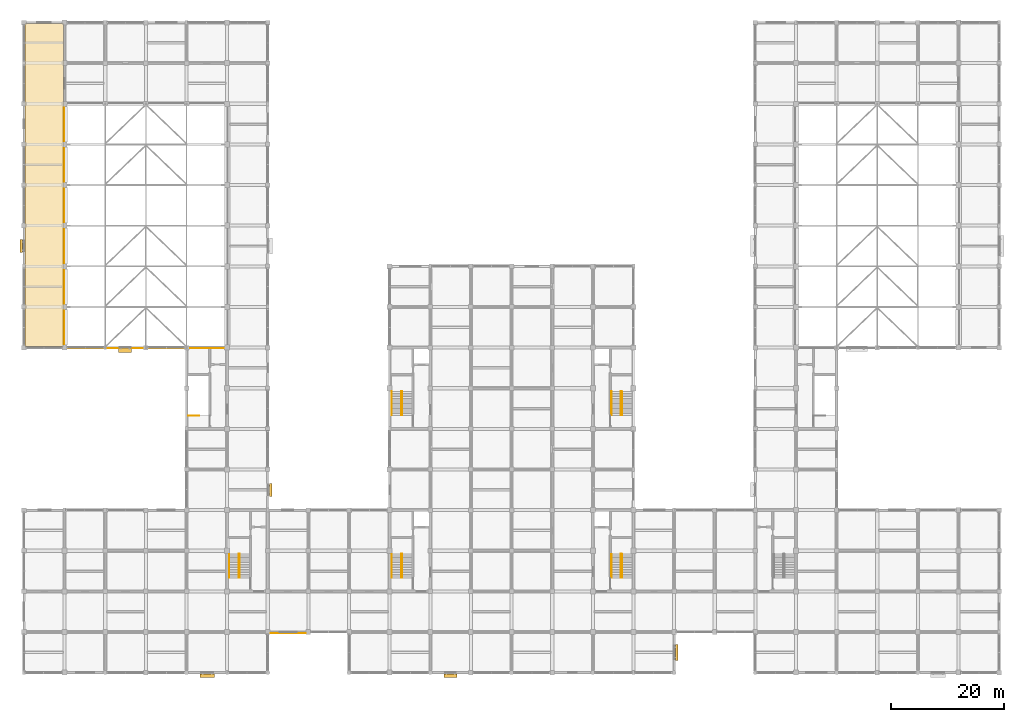
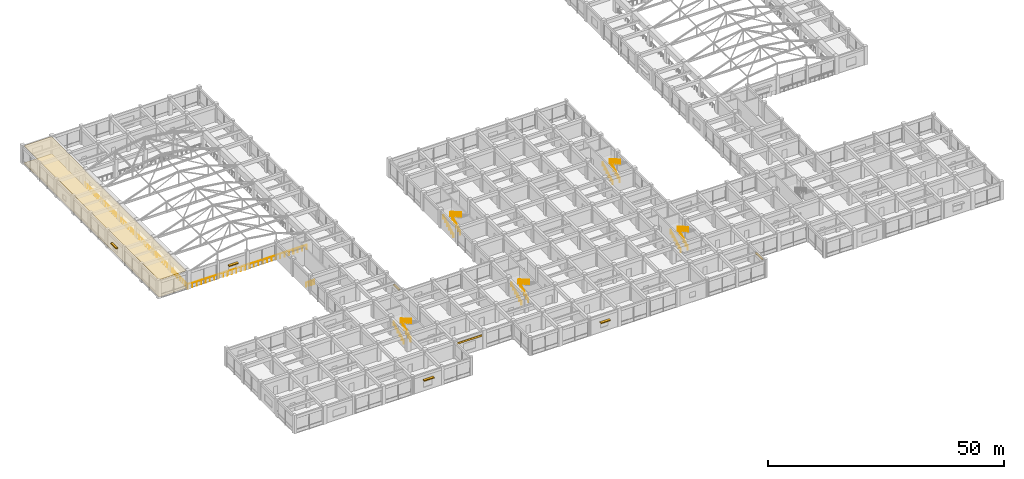
# One storey, part 73 of 75: 13 railings, 6 shading devices, 3 coverings.
"""IFC4 building model written with IfcOpenShell, lengths in metres."""

from ifc_helpers import new_model, si_unit, direction, frame, origin, origin_2d, place, context, subcontext, project, spatial, polyline, rectangle, circle, outline, extrude, material, layer, layer_set, type_object, element, save


model = new_model("IFC4")

# Units and contexts
model_context = context("Model", 3, precision=1e-05, world=origin(), true_north=direction((0.0, 1.0)))
body_context = subcontext(model_context, "Body", "Model", "MODEL_VIEW")
ifc_project = project(units=[si_unit("LENGTHUNIT", "METRE"), si_unit("AREAUNIT", "SQUARE_METRE"), si_unit("VOLUMEUNIT", "CUBIC_METRE"), si_unit("PLANEANGLEUNIT", "RADIAN"), si_unit("MASSUNIT", "GRAM", prefix="KILO")], contexts=[model_context])

# Site, building, storey
site_placement = place(None, origin())
site = spatial("IfcSite", under=ifc_project, at=site_placement, CompositionType="ELEMENT")
building_placement = place(site_placement, origin())
building = spatial("IfcBuilding", under=site, at=building_placement, Name="Cendaluz Park School", CompositionType="ELEMENT")
storey_placement = place(building_placement, frame((0.0, 0.0, 4.800048828125)))
storey = spatial("IfcBuildingStorey", under=building, at=storey_placement, Name="L01", CompositionType="ELEMENT", Elevation=4.800048828125)

# Coverings
ifc_material_1 = material(Name="Polychrome Majolica Tile")
ifc_layer_1 = layer(ifc_material_1, 0.0400390625)
ifc_layer_set_1 = layer_set([ifc_layer_1], Name="Polychrome Majolica Tile")
covering_type_1 = type_object("IfcCoveringType", Name="CV-CL01", PredefinedType="CLADDING", material=ifc_layer_set_1)
covering_1_placement = place(storey_placement, frame((0.0, 0.0, 3.300048828125)))
element("IfcCovering", 1, at=covering_1_placement, inside=storey, type_object=covering_type_1, Name="CV-CL-L01-06-01", PredefinedType="CLADDING", context=body_context, shape_type="SweptSolid", body=[
    extrude(outline(polyline([(43.699951171875, 6.97998046875), (49.89990234375, 6.97998046875), (49.89990234375, 7.02197265625), (43.699951171875, 7.02197265625), (43.699951171875, 6.97998046875)])), origin(), (0.0, 0.0, 1.0), 0.5),
])
ifc_material_2 = material(Name="Mineral Fibre Acoustic Tile")
ifc_layer_2 = layer(ifc_material_2, 0.030029296875)
ifc_layer_set_2 = layer_set([ifc_layer_2], Name="Mineral Fibre Acoustic Tile")
covering_type_2 = type_object("IfcCoveringType", Name="CV-CLG01", PredefinedType="CEILING", material=ifc_layer_set_2)
covering_2_placement = place(storey_placement, frame((0.0, 0.0, 4.449951171875)))
element("IfcCovering", 2, at=covering_2_placement, inside=storey, type_object=covering_type_2, Name="CV-CLG-L01-01", PredefinedType="CEILING", context=body_context, shape_type="SweptSolid", body=[
    extrude(outline(polyline([(0.199951171875, 57.800048828125), (7.0, 57.800048828125), (7.0, 115.0), (0.199951171875, 115.0), (0.199951171875, 57.800048828125)])), origin(), (0.0, 0.0, 1.0), 0.030029296875),
])
ifc_material_3 = material(Name="Polished Terrazzo Tile")
ifc_layer_3 = layer(ifc_material_3, 0.02001953125)
ifc_layer_set_3 = layer_set([ifc_layer_3], Name="Polished Terrazzo Tile")
covering_type_3 = type_object("IfcCoveringType", Name="CV-FLR01", PredefinedType="FLOORING", material=ifc_layer_set_3)
covering_3_placement = place(storey_placement, origin())
element("IfcCovering", 3, at=covering_3_placement, inside=storey, type_object=covering_type_3, Name="CV-FLR-L01-01", PredefinedType="FLOORING", context=body_context, shape_type="SweptSolid", body=[
    extrude(outline(polyline([(0.199951171875, 57.800048828125), (7.0, 57.800048828125), (7.0, 115.0), (0.199951171875, 115.0), (0.199951171875, 57.800048828125)])), origin(), (0.0, 0.0, 1.0), 0.02001953125),
])

# Railings
ifc_material_4 = material(Name="Wrought Iron")
railing_type_1 = type_object("IfcRailingType", Name="GR-ST01", PredefinedType="BALUSTRADE", material=ifc_material_4)
railing_1_placement = place(storey_placement, frame((66.840087890625, 16.800048828125, 0.159912109375)))
element("IfcRailing", 4, at=railing_1_placement, inside=storey, type_object=railing_type_1, Name="GR-ST-005", PredefinedType="BALUSTRADE", context=body_context, shape_type="SweptSolid", body=[
    extrude(circle(Radius=0.02392578125, at=origin_2d()), frame((0.0, 0.0, 1.076171875), z_axis=(0.0, 0.882351521365, 0.470590897432), x_axis=(-1.0, 0.0, 0.0)), (0.0, 0.0, 1.0), 4.760009765625),
    extrude(circle(Radius=0.02392578125, at=origin_2d()), frame((0.0, 4.199951171875, 3.31591796875), z_axis=(1.0, 0.0, 0.0), x_axis=(0.0, 1.0, 0.0)), (0.0, 0.0, 1.0), 0.169921875),
    extrude(circle(Radius=0.02392578125, at=origin_2d()), frame((0.169921875, 4.199951171875, 3.31591796875), z_axis=(0.0, -0.868227612608, 0.496166114024), x_axis=(1.0, 0.0, 0.0)), (0.0, 0.0, 1.0), 4.83740234375),
    extrude(circle(Radius=0.02099609375, at=origin_2d()), origin(), (0.0, 0.0, 1.0), 1.052001953125),
    extrude(circle(Radius=0.02099609375, at=origin_2d()), frame((0.0, 0.840087890625, 0.447998046875)), (0.0, 0.0, 1.0), 1.052001953125),
    extrude(circle(Radius=0.02099609375, at=origin_2d()), frame((0.0, 1.679931640625, 0.89599609375)), (0.0, 0.0, 1.0), 1.052001953125),
    extrude(circle(Radius=0.02099609375, at=origin_2d()), frame((0.0, 2.52001953125, 1.343994140625)), (0.0, 0.0, 1.0), 1.052001953125),
    extrude(circle(Radius=0.02099609375, at=origin_2d()), frame((0.0, 3.35986328125, 1.7919921875)), (0.0, 0.0, 1.0), 1.052001953125),
    extrude(circle(Radius=0.02099609375, at=origin_2d()), frame((0.0, 4.199951171875, 2.239990234375)), (0.0, 0.0, 1.0), 1.052001953125),
    extrude(circle(Radius=0.02099609375, at=origin_2d()), frame((0.169921875, 4.199951171875, 2.239990234375)), (0.0, 0.0, 1.0), 1.052001953125),
    extrude(circle(Radius=0.02099609375, at=origin_2d()), frame((0.169921875, 3.35986328125, 2.719970703125)), (0.0, 0.0, 1.0), 1.052001953125),
    extrude(circle(Radius=0.02099609375, at=origin_2d()), frame((0.169921875, 2.52001953125, 3.199951171875)), (0.0, 0.0, 1.0), 1.052001953125),
    extrude(circle(Radius=0.02099609375, at=origin_2d()), frame((0.169921875, 1.679931640625, 3.68017578125)), (0.0, 0.0, 1.0), 1.052001953125),
    extrude(circle(Radius=0.02099609375, at=origin_2d()), frame((0.169921875, 0.840087890625, 4.16015625)), (0.0, 0.0, 1.0), 1.052001953125),
    extrude(circle(Radius=0.02099609375, at=origin_2d()), frame((0.169921875, 0.0, 4.64013671875)), (0.0, 0.0, 1.0), 1.052001953125),
])
railing_2_placement = place(storey_placement, frame((105.7900390625, 16.800048828125, 0.159912109375)))
element("IfcRailing", 5, at=railing_2_placement, inside=storey, type_object=railing_type_1, Name="GR-ST-040", PredefinedType="BALUSTRADE", context=body_context, shape_type="SweptSolid", body=[
    extrude(circle(Radius=0.02392578125, at=origin_2d()), frame((0.0, 0.0, 1.076171875), z_axis=(0.0, 0.882351521365, 0.470590897432), x_axis=(-1.0, 0.0, 0.0)), (0.0, 0.0, 1.0), 4.760009765625),
    extrude(circle(Radius=0.02392578125, at=origin_2d()), frame((0.0, 4.199951171875, 3.31591796875), z_axis=(1.0, 0.0, 0.0), x_axis=(0.0, 1.0, 0.0)), (0.0, 0.0, 1.0), 0.169921875),
    extrude(circle(Radius=0.02392578125, at=origin_2d()), frame((0.169921875, 4.199951171875, 3.31591796875), z_axis=(0.0, -0.868227612608, 0.496166114024), x_axis=(1.0, 0.0, 0.0)), (0.0, 0.0, 1.0), 4.83740234375),
    extrude(circle(Radius=0.02099609375, at=origin_2d()), origin(), (0.0, 0.0, 1.0), 1.052001953125),
    extrude(circle(Radius=0.02099609375, at=origin_2d()), frame((0.0, 0.840087890625, 0.447998046875)), (0.0, 0.0, 1.0), 1.052001953125),
    extrude(circle(Radius=0.02099609375, at=origin_2d()), frame((0.0, 1.679931640625, 0.89599609375)), (0.0, 0.0, 1.0), 1.052001953125),
    extrude(circle(Radius=0.02099609375, at=origin_2d()), frame((0.0, 2.52001953125, 1.343994140625)), (0.0, 0.0, 1.0), 1.052001953125),
    extrude(circle(Radius=0.02099609375, at=origin_2d()), frame((0.0, 3.35986328125, 1.7919921875)), (0.0, 0.0, 1.0), 1.052001953125),
    extrude(circle(Radius=0.02099609375, at=origin_2d()), frame((0.0, 4.199951171875, 2.239990234375)), (0.0, 0.0, 1.0), 1.052001953125),
    extrude(circle(Radius=0.02099609375, at=origin_2d()), frame((0.169921875, 4.199951171875, 2.239990234375)), (0.0, 0.0, 1.0), 1.052001953125),
    extrude(circle(Radius=0.02099609375, at=origin_2d()), frame((0.169921875, 3.35986328125, 2.719970703125)), (0.0, 0.0, 1.0), 1.052001953125),
    extrude(circle(Radius=0.02099609375, at=origin_2d()), frame((0.169921875, 2.52001953125, 3.199951171875)), (0.0, 0.0, 1.0), 1.052001953125),
    extrude(circle(Radius=0.02099609375, at=origin_2d()), frame((0.169921875, 1.679931640625, 3.68017578125)), (0.0, 0.0, 1.0), 1.052001953125),
    extrude(circle(Radius=0.02099609375, at=origin_2d()), frame((0.169921875, 0.840087890625, 4.16015625)), (0.0, 0.0, 1.0), 1.052001953125),
    extrude(circle(Radius=0.02099609375, at=origin_2d()), frame((0.169921875, 0.0, 4.64013671875)), (0.0, 0.0, 1.0), 1.052001953125),
])
railing_3_placement = place(storey_placement, frame((66.840087890625, 45.60009765625, 0.159912109375)))
element("IfcRailing", 6, at=railing_3_placement, inside=storey, type_object=railing_type_1, Name="GR-ST-075", PredefinedType="BALUSTRADE", context=body_context, shape_type="SweptSolid", body=[
    extrude(circle(Radius=0.02392578125, at=origin_2d()), frame((0.0, 0.0, 1.076171875), z_axis=(0.0, 0.882351521365, 0.470590897432), x_axis=(-1.0, 0.0, 0.0)), (0.0, 0.0, 1.0), 4.760009765625),
    extrude(circle(Radius=0.02392578125, at=origin_2d()), frame((0.0, 4.199951171875, 3.31591796875), z_axis=(1.0, 0.0, 0.0), x_axis=(0.0, 1.0, 0.0)), (0.0, 0.0, 1.0), 0.169921875),
    extrude(circle(Radius=0.02392578125, at=origin_2d()), frame((0.169921875, 4.199951171875, 3.31591796875), z_axis=(0.0, -0.868227612608, 0.496166114024), x_axis=(1.0, 0.0, 0.0)), (0.0, 0.0, 1.0), 4.83740234375),
    extrude(circle(Radius=0.02099609375, at=origin_2d()), origin(), (0.0, 0.0, 1.0), 1.052001953125),
    extrude(circle(Radius=0.02099609375, at=origin_2d()), frame((0.0, 0.840087890625, 0.447998046875)), (0.0, 0.0, 1.0), 1.052001953125),
    extrude(circle(Radius=0.02099609375, at=origin_2d()), frame((0.0, 1.679931640625, 0.89599609375)), (0.0, 0.0, 1.0), 1.052001953125),
    extrude(circle(Radius=0.02099609375, at=origin_2d()), frame((0.0, 2.52001953125, 1.343994140625)), (0.0, 0.0, 1.0), 1.052001953125),
    extrude(circle(Radius=0.02099609375, at=origin_2d()), frame((0.0, 3.35986328125, 1.7919921875)), (0.0, 0.0, 1.0), 1.052001953125),
    extrude(circle(Radius=0.02099609375, at=origin_2d()), frame((0.0, 4.199951171875, 2.239990234375)), (0.0, 0.0, 1.0), 1.052001953125),
    extrude(circle(Radius=0.02099609375, at=origin_2d()), frame((0.169921875, 4.199951171875, 2.239990234375)), (0.0, 0.0, 1.0), 1.052001953125),
    extrude(circle(Radius=0.02099609375, at=origin_2d()), frame((0.169921875, 3.35986328125, 2.719970703125)), (0.0, 0.0, 1.0), 1.052001953125),
    extrude(circle(Radius=0.02099609375, at=origin_2d()), frame((0.169921875, 2.52001953125, 3.199951171875)), (0.0, 0.0, 1.0), 1.052001953125),
    extrude(circle(Radius=0.02099609375, at=origin_2d()), frame((0.169921875, 1.679931640625, 3.68017578125)), (0.0, 0.0, 1.0), 1.052001953125),
    extrude(circle(Radius=0.02099609375, at=origin_2d()), frame((0.169921875, 0.840087890625, 4.16015625)), (0.0, 0.0, 1.0), 1.052001953125),
    extrude(circle(Radius=0.02099609375, at=origin_2d()), frame((0.169921875, 0.0, 4.64013671875)), (0.0, 0.0, 1.0), 1.052001953125),
])
railing_4_placement = place(storey_placement, frame((105.7900390625, 45.60009765625, 0.159912109375)))
element("IfcRailing", 7, at=railing_4_placement, inside=storey, type_object=railing_type_1, Name="GR-ST-110", PredefinedType="BALUSTRADE", context=body_context, shape_type="SweptSolid", body=[
    extrude(circle(Radius=0.02392578125, at=origin_2d()), frame((0.0, 0.0, 1.076171875), z_axis=(0.0, 0.882351521365, 0.470590897432), x_axis=(-1.0, 0.0, 0.0)), (0.0, 0.0, 1.0), 4.760009765625),
    extrude(circle(Radius=0.02392578125, at=origin_2d()), frame((0.0, 4.199951171875, 3.31591796875), z_axis=(1.0, 0.0, 0.0), x_axis=(0.0, 1.0, 0.0)), (0.0, 0.0, 1.0), 0.169921875),
    extrude(circle(Radius=0.02392578125, at=origin_2d()), frame((0.169921875, 4.199951171875, 3.31591796875), z_axis=(0.0, -0.868227612608, 0.496166114024), x_axis=(1.0, 0.0, 0.0)), (0.0, 0.0, 1.0), 4.83740234375),
    extrude(circle(Radius=0.02099609375, at=origin_2d()), origin(), (0.0, 0.0, 1.0), 1.052001953125),
    extrude(circle(Radius=0.02099609375, at=origin_2d()), frame((0.0, 0.840087890625, 0.447998046875)), (0.0, 0.0, 1.0), 1.052001953125),
    extrude(circle(Radius=0.02099609375, at=origin_2d()), frame((0.0, 1.679931640625, 0.89599609375)), (0.0, 0.0, 1.0), 1.052001953125),
    extrude(circle(Radius=0.02099609375, at=origin_2d()), frame((0.0, 2.52001953125, 1.343994140625)), (0.0, 0.0, 1.0), 1.052001953125),
    extrude(circle(Radius=0.02099609375, at=origin_2d()), frame((0.0, 3.35986328125, 1.7919921875)), (0.0, 0.0, 1.0), 1.052001953125),
    extrude(circle(Radius=0.02099609375, at=origin_2d()), frame((0.0, 4.199951171875, 2.239990234375)), (0.0, 0.0, 1.0), 1.052001953125),
    extrude(circle(Radius=0.02099609375, at=origin_2d()), frame((0.169921875, 4.199951171875, 2.239990234375)), (0.0, 0.0, 1.0), 1.052001953125),
    extrude(circle(Radius=0.02099609375, at=origin_2d()), frame((0.169921875, 3.35986328125, 2.719970703125)), (0.0, 0.0, 1.0), 1.052001953125),
    extrude(circle(Radius=0.02099609375, at=origin_2d()), frame((0.169921875, 2.52001953125, 3.199951171875)), (0.0, 0.0, 1.0), 1.052001953125),
    extrude(circle(Radius=0.02099609375, at=origin_2d()), frame((0.169921875, 1.679931640625, 3.68017578125)), (0.0, 0.0, 1.0), 1.052001953125),
    extrude(circle(Radius=0.02099609375, at=origin_2d()), frame((0.169921875, 0.840087890625, 4.16015625)), (0.0, 0.0, 1.0), 1.052001953125),
    extrude(circle(Radius=0.02099609375, at=origin_2d()), frame((0.169921875, 0.0, 4.64013671875)), (0.0, 0.0, 1.0), 1.052001953125),
])
railing_5_placement = place(storey_placement, frame((38.0400390625, 16.800048828125, 0.159912109375)))
element("IfcRailing", 8, at=railing_5_placement, inside=storey, type_object=railing_type_1, Name="GR-ST-145", PredefinedType="BALUSTRADE", context=body_context, shape_type="SweptSolid", body=[
    extrude(circle(Radius=0.02392578125, at=origin_2d()), frame((0.0, 0.0, 1.076171875), z_axis=(0.0, 0.882351521365, 0.470590897432), x_axis=(-1.0, 0.0, 0.0)), (0.0, 0.0, 1.0), 4.760009765625),
    extrude(circle(Radius=0.02392578125, at=origin_2d()), frame((0.0, 4.199951171875, 3.31591796875), z_axis=(1.0, 0.0, 0.0), x_axis=(0.0, 1.0, 0.0)), (0.0, 0.0, 1.0), 0.169921875),
    extrude(circle(Radius=0.02392578125, at=origin_2d()), frame((0.169921875, 4.199951171875, 3.31591796875), z_axis=(0.0, -0.868227612608, 0.496166114024), x_axis=(1.0, 0.0, 0.0)), (0.0, 0.0, 1.0), 4.83740234375),
    extrude(circle(Radius=0.02099609375, at=origin_2d()), origin(), (0.0, 0.0, 1.0), 1.052001953125),
    extrude(circle(Radius=0.02099609375, at=origin_2d()), frame((0.0, 0.840087890625, 0.447998046875)), (0.0, 0.0, 1.0), 1.052001953125),
    extrude(circle(Radius=0.02099609375, at=origin_2d()), frame((0.0, 1.679931640625, 0.89599609375)), (0.0, 0.0, 1.0), 1.052001953125),
    extrude(circle(Radius=0.02099609375, at=origin_2d()), frame((0.0, 2.52001953125, 1.343994140625)), (0.0, 0.0, 1.0), 1.052001953125),
    extrude(circle(Radius=0.02099609375, at=origin_2d()), frame((0.0, 3.35986328125, 1.7919921875)), (0.0, 0.0, 1.0), 1.052001953125),
    extrude(circle(Radius=0.02099609375, at=origin_2d()), frame((0.0, 4.199951171875, 2.239990234375)), (0.0, 0.0, 1.0), 1.052001953125),
    extrude(circle(Radius=0.02099609375, at=origin_2d()), frame((0.169921875, 4.199951171875, 2.239990234375)), (0.0, 0.0, 1.0), 1.052001953125),
    extrude(circle(Radius=0.02099609375, at=origin_2d()), frame((0.169921875, 3.35986328125, 2.719970703125)), (0.0, 0.0, 1.0), 1.052001953125),
    extrude(circle(Radius=0.02099609375, at=origin_2d()), frame((0.169921875, 2.52001953125, 3.199951171875)), (0.0, 0.0, 1.0), 1.052001953125),
    extrude(circle(Radius=0.02099609375, at=origin_2d()), frame((0.169921875, 1.679931640625, 3.68017578125)), (0.0, 0.0, 1.0), 1.052001953125),
    extrude(circle(Radius=0.02099609375, at=origin_2d()), frame((0.169921875, 0.840087890625, 4.16015625)), (0.0, 0.0, 1.0), 1.052001953125),
    extrude(circle(Radius=0.02099609375, at=origin_2d()), frame((0.169921875, 0.0, 4.64013671875)), (0.0, 0.0, 1.0), 1.052001953125),
])
railing_6_placement = place(storey_placement, frame((29.090087890625, 45.52001953125, 0.0)))
element("IfcRailing", 9, at=railing_6_placement, inside=storey, type_object=railing_type_1, Name="GR-TOP-C7-L01", PredefinedType="BALUSTRADE", context=body_context, shape_type="SweptSolid", body=[
    extrude(circle(Radius=0.02392578125, at=origin_2d()), frame((0.0, 0.0, 1.076171875), z_axis=(1.0, 0.0, 0.0), x_axis=(0.0, 1.0, 0.0)), (0.0, 0.0, 1.0), 1.949951171875),
    extrude(circle(Radius=0.02099609375, at=origin_2d()), origin(), (0.0, 0.0, 1.0), 1.052001953125),
    extrude(circle(Radius=0.02099609375, at=origin_2d()), frame((0.64990234375, 0.0, 0.0)), (0.0, 0.0, 1.0), 1.052001953125),
    extrude(circle(Radius=0.02099609375, at=origin_2d()), frame((1.300048828125, 0.0, 0.0)), (0.0, 0.0, 1.0), 1.052001953125),
    extrude(circle(Radius=0.02099609375, at=origin_2d()), frame((1.949951171875, 0.0, 0.0)), (0.0, 0.0, 1.0), 1.052001953125),
])
ifc_material_5 = material(Name="Tempered Low-E Double Glazing", Category="glass")
railing_type_2 = type_object("IfcRailingType", Name="GR-VD01", PredefinedType="GUARDRAIL", material=ifc_material_5)
railing_7_placement = place(storey_placement, frame((7.080078125, 57.47998046875, 0.0)))
element("IfcRailing", 10, at=railing_7_placement, inside=storey, type_object=railing_type_2, Name="GR-SH-VOID-1", PredefinedType="GUARDRAIL", context=body_context, shape_type="SweptSolid", body=[
    extrude(circle(Radius=0.02392578125, at=origin_2d()), frame((0.0, 0.0, 1.1259765625), z_axis=(1.0, 0.0, 0.0), x_axis=(0.0, 1.0, 0.0)), (0.0, 0.0, 1.0), 29.0400390625),
    extrude(circle(Radius=0.02099609375, at=origin_2d()), origin(), (0.0, 0.0, 1.0), 1.101806640625),
    extrude(circle(Radius=0.02099609375, at=origin_2d()), frame((1.075439453125, 0.0, 0.0)), (0.0, 0.0, 1.0), 1.101806640625),
    extrude(circle(Radius=0.02099609375, at=origin_2d()), frame((2.151123046875, 0.0, 0.0)), (0.0, 0.0, 1.0), 1.101806640625),
    extrude(circle(Radius=0.02099609375, at=origin_2d()), frame((3.2265625, 0.0, 0.0)), (0.0, 0.0, 1.0), 1.101806640625),
    extrude(circle(Radius=0.02099609375, at=origin_2d()), frame((4.30224609375, 0.0, 0.0)), (0.0, 0.0, 1.0), 1.101806640625),
    extrude(circle(Radius=0.02099609375, at=origin_2d()), frame((5.377685546875, 0.0, 0.0)), (0.0, 0.0, 1.0), 1.101806640625),
    extrude(circle(Radius=0.02099609375, at=origin_2d()), frame((6.453369140625, 0.0, 0.0)), (0.0, 0.0, 1.0), 1.101806640625),
    extrude(circle(Radius=0.02099609375, at=origin_2d()), frame((7.52880859375, 0.0, 0.0)), (0.0, 0.0, 1.0), 1.101806640625),
    extrude(circle(Radius=0.02099609375, at=origin_2d()), frame((8.6044921875, 0.0, 0.0)), (0.0, 0.0, 1.0), 1.101806640625),
    extrude(circle(Radius=0.02099609375, at=origin_2d()), frame((9.679931640625, 0.0, 0.0)), (0.0, 0.0, 1.0), 1.101806640625),
    extrude(circle(Radius=0.02099609375, at=origin_2d()), frame((10.755615234375, 0.0, 0.0)), (0.0, 0.0, 1.0), 1.101806640625),
    extrude(circle(Radius=0.02099609375, at=origin_2d()), frame((11.8310546875, 0.0, 0.0)), (0.0, 0.0, 1.0), 1.101806640625),
    extrude(circle(Radius=0.02099609375, at=origin_2d()), frame((12.90673828125, 0.0, 0.0)), (0.0, 0.0, 1.0), 1.101806640625),
    extrude(circle(Radius=0.02099609375, at=origin_2d()), frame((13.982177734375, 0.0, 0.0)), (0.0, 0.0, 1.0), 1.101806640625),
    extrude(circle(Radius=0.02099609375, at=origin_2d()), frame((15.057861328125, 0.0, 0.0)), (0.0, 0.0, 1.0), 1.101806640625),
    extrude(circle(Radius=0.02099609375, at=origin_2d()), frame((16.13330078125, 0.0, 0.0)), (0.0, 0.0, 1.0), 1.101806640625),
    extrude(circle(Radius=0.02099609375, at=origin_2d()), frame((17.208984375, 0.0, 0.0)), (0.0, 0.0, 1.0), 1.101806640625),
    extrude(circle(Radius=0.02099609375, at=origin_2d()), frame((18.284423828125, 0.0, 0.0)), (0.0, 0.0, 1.0), 1.101806640625),
    extrude(circle(Radius=0.02099609375, at=origin_2d()), frame((19.360107421875, 0.0, 0.0)), (0.0, 0.0, 1.0), 1.101806640625),
    extrude(circle(Radius=0.02099609375, at=origin_2d()), frame((20.435546875, 0.0, 0.0)), (0.0, 0.0, 1.0), 1.101806640625),
    extrude(circle(Radius=0.02099609375, at=origin_2d()), frame((21.51123046875, 0.0, 0.0)), (0.0, 0.0, 1.0), 1.101806640625),
    extrude(circle(Radius=0.02099609375, at=origin_2d()), frame((22.586669921875, 0.0, 0.0)), (0.0, 0.0, 1.0), 1.101806640625),
    extrude(circle(Radius=0.02099609375, at=origin_2d()), frame((23.662353515625, 0.0, 0.0)), (0.0, 0.0, 1.0), 1.101806640625),
    extrude(circle(Radius=0.02099609375, at=origin_2d()), frame((24.73779296875, 0.0, 0.0)), (0.0, 0.0, 1.0), 1.101806640625),
    extrude(circle(Radius=0.02099609375, at=origin_2d()), frame((25.8134765625, 0.0, 0.0)), (0.0, 0.0, 1.0), 1.101806640625),
    extrude(circle(Radius=0.02099609375, at=origin_2d()), frame((26.888916015625, 0.0, 0.0)), (0.0, 0.0, 1.0), 1.101806640625),
    extrude(circle(Radius=0.02099609375, at=origin_2d()), frame((27.964599609375, 0.0, 0.0)), (0.0, 0.0, 1.0), 1.101806640625),
    extrude(circle(Radius=0.02099609375, at=origin_2d()), frame((29.0400390625, 0.0, 0.0)), (0.0, 0.0, 1.0), 1.101806640625),
])
railing_8_placement = place(storey_placement, frame((7.080078125, 100.919921875, 0.0)))
element("IfcRailing", 11, at=railing_8_placement, inside=storey, type_object=railing_type_2, Name="GR-SH-VOID-4", PredefinedType="GUARDRAIL", context=body_context, shape_type="SweptSolid", body=[
    extrude(circle(Radius=0.02392578125, at=origin_2d()), frame((0.0, 0.0, 1.1259765625), z_axis=(0.0, -1.0, 0.0), x_axis=(1.0, 0.0, 0.0)), (0.0, 0.0, 1.0), 43.43994140625),
    extrude(circle(Radius=0.02099609375, at=origin_2d()), origin(), (0.0, 0.0, 1.0), 1.101806640625),
    extrude(circle(Radius=0.02099609375, at=origin_2d()), frame((0.0, -1.0859375, 0.0)), (0.0, 0.0, 1.0), 1.101806640625),
    extrude(circle(Radius=0.02099609375, at=origin_2d()), frame((0.0, -2.171875, 0.0)), (0.0, 0.0, 1.0), 1.101806640625),
    extrude(circle(Radius=0.02099609375, at=origin_2d()), frame((0.0, -3.258056640625, 0.0)), (0.0, 0.0, 1.0), 1.101806640625),
    extrude(circle(Radius=0.02099609375, at=origin_2d()), frame((0.0, -4.343994140625, 0.0)), (0.0, 0.0, 1.0), 1.101806640625),
    extrude(circle(Radius=0.02099609375, at=origin_2d()), frame((0.0, -5.429931640625, 0.0)), (0.0, 0.0, 1.0), 1.101806640625),
    extrude(circle(Radius=0.02099609375, at=origin_2d()), frame((0.0, -6.51611328125, 0.0)), (0.0, 0.0, 1.0), 1.101806640625),
    extrude(circle(Radius=0.02099609375, at=origin_2d()), frame((0.0, -7.60205078125, 0.0)), (0.0, 0.0, 1.0), 1.101806640625),
    extrude(circle(Radius=0.02099609375, at=origin_2d()), frame((0.0, -8.68798828125, 0.0)), (0.0, 0.0, 1.0), 1.101806640625),
    extrude(circle(Radius=0.02099609375, at=origin_2d()), frame((0.0, -9.77392578125, 0.0)), (0.0, 0.0, 1.0), 1.101806640625),
    extrude(circle(Radius=0.02099609375, at=origin_2d()), frame((0.0, -10.85986328125, 0.0)), (0.0, 0.0, 1.0), 1.101806640625),
    extrude(circle(Radius=0.02099609375, at=origin_2d()), frame((0.0, -11.946044921875, 0.0)), (0.0, 0.0, 1.0), 1.101806640625),
    extrude(circle(Radius=0.02099609375, at=origin_2d()), frame((0.0, -13.031982421875, 0.0)), (0.0, 0.0, 1.0), 1.101806640625),
    extrude(circle(Radius=0.02099609375, at=origin_2d()), frame((0.0, -14.117919921875, 0.0)), (0.0, 0.0, 1.0), 1.101806640625),
    extrude(circle(Radius=0.02099609375, at=origin_2d()), frame((0.0, -15.203857421875, 0.0)), (0.0, 0.0, 1.0), 1.101806640625),
    extrude(circle(Radius=0.02099609375, at=origin_2d()), frame((0.0, -16.2900390625, 0.0)), (0.0, 0.0, 1.0), 1.101806640625),
    extrude(circle(Radius=0.02099609375, at=origin_2d()), frame((0.0, -17.3759765625, 0.0)), (0.0, 0.0, 1.0), 1.101806640625),
    extrude(circle(Radius=0.02099609375, at=origin_2d()), frame((0.0, -18.4619140625, 0.0)), (0.0, 0.0, 1.0), 1.101806640625),
    extrude(circle(Radius=0.02099609375, at=origin_2d()), frame((0.0, -19.5478515625, 0.0)), (0.0, 0.0, 1.0), 1.101806640625),
    extrude(circle(Radius=0.02099609375, at=origin_2d()), frame((0.0, -20.634033203125, 0.0)), (0.0, 0.0, 1.0), 1.101806640625),
    extrude(circle(Radius=0.02099609375, at=origin_2d()), frame((0.0, -21.719970703125, 0.0)), (0.0, 0.0, 1.0), 1.101806640625),
    extrude(circle(Radius=0.02099609375, at=origin_2d()), frame((0.0, -22.805908203125, 0.0)), (0.0, 0.0, 1.0), 1.101806640625),
    extrude(circle(Radius=0.02099609375, at=origin_2d()), frame((0.0, -23.89208984375, 0.0)), (0.0, 0.0, 1.0), 1.101806640625),
    extrude(circle(Radius=0.02099609375, at=origin_2d()), frame((0.0, -24.97802734375, 0.0)), (0.0, 0.0, 1.0), 1.101806640625),
    extrude(circle(Radius=0.02099609375, at=origin_2d()), frame((0.0, -26.06396484375, 0.0)), (0.0, 0.0, 1.0), 1.101806640625),
    extrude(circle(Radius=0.02099609375, at=origin_2d()), frame((0.0, -27.14990234375, 0.0)), (0.0, 0.0, 1.0), 1.101806640625),
    extrude(circle(Radius=0.02099609375, at=origin_2d()), frame((0.0, -28.23583984375, 0.0)), (0.0, 0.0, 1.0), 1.101806640625),
    extrude(circle(Radius=0.02099609375, at=origin_2d()), frame((0.0, -29.322021484375, 0.0)), (0.0, 0.0, 1.0), 1.101806640625),
    extrude(circle(Radius=0.02099609375, at=origin_2d()), frame((0.0, -30.407958984375, 0.0)), (0.0, 0.0, 1.0), 1.101806640625),
    extrude(circle(Radius=0.02099609375, at=origin_2d()), frame((0.0, -31.493896484375, 0.0)), (0.0, 0.0, 1.0), 1.101806640625),
    extrude(circle(Radius=0.02099609375, at=origin_2d()), frame((0.0, -32.580078125, 0.0)), (0.0, 0.0, 1.0), 1.101806640625),
    extrude(circle(Radius=0.02099609375, at=origin_2d()), frame((0.0, -33.666015625, 0.0)), (0.0, 0.0, 1.0), 1.101806640625),
    extrude(circle(Radius=0.02099609375, at=origin_2d()), frame((0.0, -34.751953125, 0.0)), (0.0, 0.0, 1.0), 1.101806640625),
    extrude(circle(Radius=0.02099609375, at=origin_2d()), frame((0.0, -35.837890625, 0.0)), (0.0, 0.0, 1.0), 1.101806640625),
    extrude(circle(Radius=0.02099609375, at=origin_2d()), frame((0.0, -36.923828125, 0.0)), (0.0, 0.0, 1.0), 1.101806640625),
    extrude(circle(Radius=0.02099609375, at=origin_2d()), frame((0.0, -38.010009765625, 0.0)), (0.0, 0.0, 1.0), 1.101806640625),
    extrude(circle(Radius=0.02099609375, at=origin_2d()), frame((0.0, -39.095947265625, 0.0)), (0.0, 0.0, 1.0), 1.101806640625),
    extrude(circle(Radius=0.02099609375, at=origin_2d()), frame((0.0, -40.181884765625, 0.0)), (0.0, 0.0, 1.0), 1.101806640625),
    extrude(circle(Radius=0.02099609375, at=origin_2d()), frame((0.0, -41.26806640625, 0.0)), (0.0, 0.0, 1.0), 1.101806640625),
    extrude(circle(Radius=0.02099609375, at=origin_2d()), frame((0.0, -42.35400390625, 0.0)), (0.0, 0.0, 1.0), 1.101806640625),
    extrude(circle(Radius=0.02099609375, at=origin_2d()), frame((0.0, -43.43994140625, 0.0)), (0.0, 0.0, 1.0), 1.101806640625),
])
ifc_material_6 = material(Name="Architectural Bronze")
railing_type_3 = type_object("IfcRailingType", Name="HR-ST01", PredefinedType="HANDRAIL", material=ifc_material_6)
for number, where, name in (
    (12, (65.14990234375, 16.800048828125, 0.159912109375), "HR-ST-006"),
    (13, (104.10009765625, 16.800048828125, 0.159912109375), "HR-ST-041"),
    (14, (65.14990234375, 45.60009765625, 0.159912109375), "HR-ST-076"),
    (15, (104.10009765625, 45.60009765625, 0.159912109375), "HR-ST-111"),
    (16, (36.35009765625, 16.800048828125, 0.159912109375), "HR-ST-146"),
):
    element("IfcRailing", number, at=place(storey_placement, frame(where)), inside=storey, type_object=railing_type_3, Name=name, PredefinedType="HANDRAIL", context=body_context, shape_type="SweptSolid", body=[
        extrude(circle(Radius=0.02392578125, at=origin_2d()), frame((0.0, 0.0, 0.8759765625), z_axis=(0.0, 0.882351521365, 0.470590897432), x_axis=(-1.0, 0.0, 0.0)), (0.0, 0.0, 1.0), 4.760009765625),
        extrude(circle(Radius=0.02099609375, at=origin_2d()), origin(), (0.0, 0.0, 1.0), 0.851806640625),
        extrude(circle(Radius=0.02099609375, at=origin_2d()), frame((0.0, 0.840087890625, 0.447998046875)), (0.0, 0.0, 1.0), 0.851806640625),
        extrude(circle(Radius=0.02099609375, at=origin_2d()), frame((0.0, 1.679931640625, 0.89599609375)), (0.0, 0.0, 1.0), 0.851806640625),
        extrude(circle(Radius=0.02099609375, at=origin_2d()), frame((0.0, 2.52001953125, 1.343994140625)), (0.0, 0.0, 1.0), 0.851806640625),
        extrude(circle(Radius=0.02099609375, at=origin_2d()), frame((0.0, 3.35986328125, 1.7919921875)), (0.0, 0.0, 1.0), 0.851806640625),
        extrude(circle(Radius=0.02099609375, at=origin_2d()), frame((0.0, 4.199951171875, 2.239990234375)), (0.0, 0.0, 1.0), 0.851806640625),
    ])

# Shading devices
ifc_material_7 = material(Name="Anodised Aluminium 6063-T6", Category="aluminium")
shading_device_type_1 = type_object("IfcShadingDeviceType", Name="SD-01", PredefinedType="JALOUSIE", material=ifc_material_7)
shading_device_1_placement = place(storey_placement, frame((17.925048828125, 57.0400390625, 2.6201171875), z_axis=(0.0, 0.0, 1.0), x_axis=(1.0, 0.0, 0.0)))
element("IfcShadingDevice", 17, at=shading_device_1_placement, inside=storey, type_object=shading_device_type_1, Name="SD-L01-037", PredefinedType="JALOUSIE", context=body_context, shape_type="SweptSolid", body=[
    extrude(rectangle(XDim=2.300048828125, YDim=0.60009765625, at=origin_2d()), origin(), (0.0, 0.0, 1.0), 0.239990234375),
])
shading_device_2_placement = place(storey_placement, frame((32.46240234375, -0.56005859375, 2.8701171875), z_axis=(0.0, 0.0, 1.0), x_axis=(1.0, 0.0, 0.0)))
element("IfcShadingDevice", 18, at=shading_device_2_placement, inside=storey, type_object=shading_device_type_1, Name="SD-L01-038", PredefinedType="JALOUSIE", context=body_context, shape_type="SweptSolid", body=[
    extrude(rectangle(XDim=2.5, YDim=0.60009765625, at=origin_2d()), origin(), (0.0, 0.0, 1.0), 0.239990234375),
])
shading_device_3_placement = place(storey_placement, frame((75.58740234375, -0.56005859375, 2.6201171875), z_axis=(0.0, 0.0, 1.0), x_axis=(1.0, 0.0, 0.0)))
element("IfcShadingDevice", 19, at=shading_device_3_placement, inside=storey, type_object=shading_device_type_1, Name="SD-L01-041", PredefinedType="JALOUSIE", context=body_context, shape_type="SweptSolid", body=[
    extrude(rectangle(XDim=2.300048828125, YDim=0.60009765625, at=origin_2d()), origin(), (0.0, 0.0, 1.0), 0.239990234375),
])
shading_device_type_2 = type_object("IfcShadingDeviceType", Name="SD-02", PredefinedType="SHUTTER", material=ifc_material_6)
for number, where, z_axis, x_axis, name in (
    (20, (-0.485107421875, 75.58740234375, 2.6201171875), (0.0, 0.0, 1.0), (0.0, 1.0, 0.0), "SD-L01-036"),
    (21, (43.68505859375, 32.387451171875, 2.6201171875), (0.0, 0.0, 1.0), (0.0, 1.0, 0.0), "SD-L01-039"),
):
    element("IfcShadingDevice", number, at=place(storey_placement, frame(where, z_axis=z_axis, x_axis=x_axis)), inside=storey, type_object=shading_device_type_2, Name=name, PredefinedType="SHUTTER", context=body_context, shape_type="SweptSolid", body=[
        extrude(rectangle(XDim=2.300048828125, YDim=0.449951171875, at=origin_2d()), origin(), (0.0, 0.0, 1.0), 0.239990234375),
    ])
shading_device_4_placement = place(storey_placement, frame((115.68505859375, 3.58740234375, 2.919921875), z_axis=(0.0, 0.0, 1.0), x_axis=(0.0, 1.0, 0.0)))
element("IfcShadingDevice", 22, at=shading_device_4_placement, inside=storey, type_object=shading_device_type_2, Name="SD-L01-042", PredefinedType="SHUTTER", context=body_context, shape_type="SweptSolid", body=[
    extrude(rectangle(XDim=2.800048828125, YDim=0.449951171875, at=origin_2d()), origin(), (0.0, 0.0, 1.0), 0.239990234375),
])

save(model, "model.ifc")
